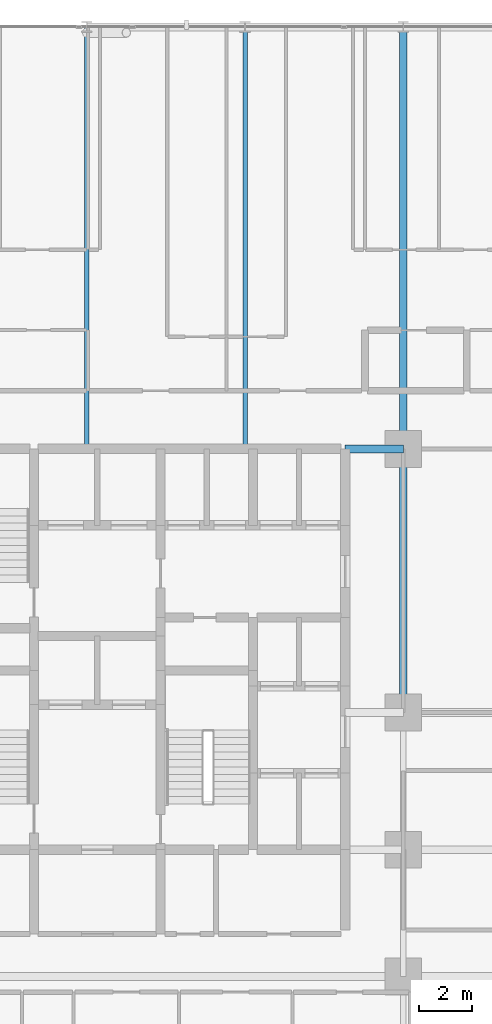
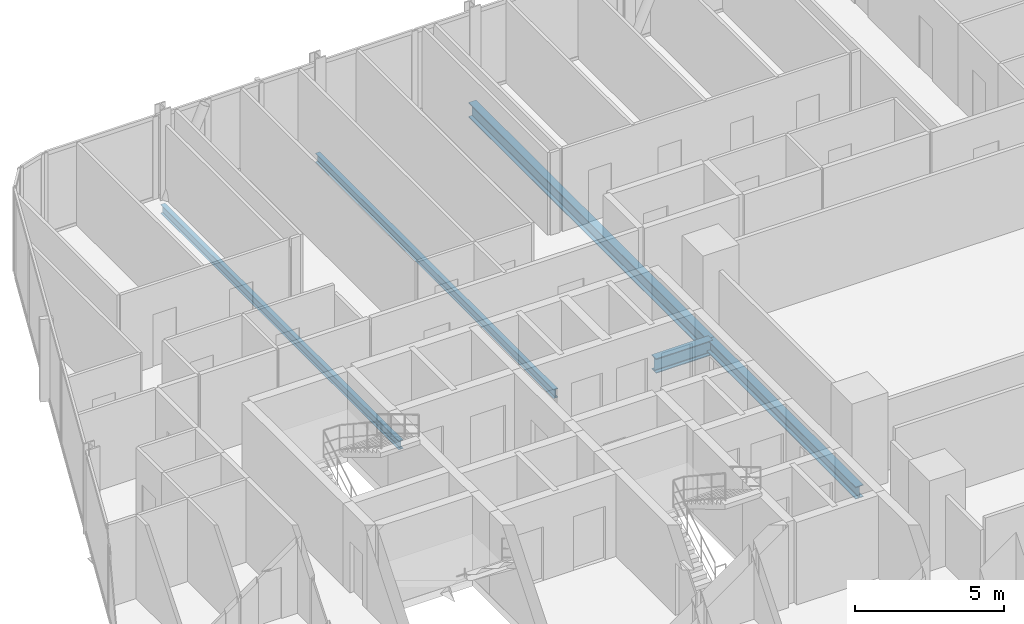
# One storey, part 12 of 34: 5 beams.
"""IFC4 building model written with IfcOpenShell, lengths in metres."""

from ifc_helpers import new_model, si_unit, direction, frame, origin, origin_2d, place, context, subcontext, project, spatial, i_section, extrude, material, material_profile, profile_set, type_object, element, save


model = new_model("IFC4")

# Units and contexts
model_context = context("Model", 3, precision=1e-05, world=origin(), true_north=direction((0.0, 1.0)))
body_context = subcontext(model_context, "Body", "Model", "MODEL_VIEW")
ifc_project = project(units=[si_unit("LENGTHUNIT", "METRE"), si_unit("AREAUNIT", "SQUARE_METRE"), si_unit("VOLUMEUNIT", "CUBIC_METRE"), si_unit("PLANEANGLEUNIT", "RADIAN"), si_unit("MASSUNIT", "GRAM", prefix="KILO")], contexts=[model_context])

# Site, building, storey
site_placement = place(None, origin())
site = spatial("IfcSite", under=ifc_project, at=site_placement, CompositionType="ELEMENT")
building_placement = place(site_placement, origin())
building = spatial("IfcBuilding", under=site, at=building_placement, Name="Keshet Zoharim Tower", CompositionType="ELEMENT")
storey_placement = place(building_placement, frame((0.0, 0.0, 46.199951171875)))
storey = spatial("IfcBuildingStorey", under=building, at=storey_placement, Name="L10", CompositionType="ELEMENT", Elevation=46.199951171875)

# Beams
ifc_material = material(Name="Steel S355", Category="steel")
ifc_material_profile_1 = material_profile(ifc_material, i_section(OverallWidth=0.300048828125, OverallDepth=0.60009765625, WebThickness=0.015380859375, FlangeThickness=0.030029296875, FilletRadius=0.027099609375, at=origin_2d()), Name="HEB600")
ifc_profile_set_1 = profile_set([ifc_material_profile_1], Name="Steel S355")
beam_type_1 = type_object("IfcBeamType", Name="BM-CLK-HB600", PredefinedType="BEAM", material=ifc_profile_set_1)
beam_1_placement = place(storey_placement, frame((30.800048828125, 37.89990234375, -0.614990234375), z_axis=(1.0, 0.0, 0.0), x_axis=(0.0, 1.0, 0.0)))
element("IfcBeam", 1, at=beam_1_placement, inside=storey, type_object=beam_type_1, Name="L10 Core Wall Link Girder 03", PredefinedType="BEAM", context=body_context, shape_type="SweptSolid", body=[
    extrude(i_section(OverallWidth=0.300048828125, OverallDepth=0.60009765625, WebThickness=0.015380859375, FlangeThickness=0.030029296875, FilletRadius=0.027099609375, at=origin_2d()), origin(), (0.0, 0.0, 1.0), 2.199951171875),
])
ifc_material_profile_2 = material_profile(ifc_material, i_section(OverallWidth=0.169921875, OverallDepth=0.360107421875, WebThickness=0.008056640625, FlangeThickness=0.0126953125, FilletRadius=0.01806640625, at=origin_2d()), Name="IPE360")
ifc_profile_set_2 = profile_set([ifc_material_profile_2], Name="Steel S355")
beam_type_2 = type_object("IfcBeamType", Name="BM-JST-IP360", PredefinedType="JOIST", material=ifc_profile_set_2)
for number, where, z_axis, x_axis, name in (
    (2, (21.0, 37.89990234375, -0.494873046875), (0.0, 1.0, 0.0), (-1.0, 0.0, 0.0), "L10 Secondary Floor Joist J-001"),
    (3, (27.0, 37.89990234375, -0.494873046875), (0.0, 1.0, 0.0), (-1.0, 0.0, 0.0), "L10 Secondary Floor Joist J-002"),
):
    element("IfcBeam", number, at=place(storey_placement, frame(where, z_axis=z_axis, x_axis=x_axis)), inside=storey, type_object=beam_type_2, Name=name, PredefinedType="JOIST", context=body_context, shape_type="SweptSolid", body=[
        extrude(i_section(OverallWidth=0.169921875, OverallDepth=0.360107421875, WebThickness=0.008056640625, FlangeThickness=0.0126953125, FilletRadius=0.01806640625, at=origin_2d()), origin(), (0.0, 0.0, 1.0), 16.0),
    ])
ifc_material_profile_3 = material_profile(ifc_material, i_section(OverallWidth=0.300048828125, OverallDepth=0.60009765625, WebThickness=0.015380859375, FlangeThickness=0.030029296875, FilletRadius=0.027099609375, at=origin_2d()), Name="HEB600")
ifc_profile_set_3 = profile_set([ifc_material_profile_3], Name="Steel S355")
beam_type_3 = type_object("IfcBeamType", Name="BM-LNG-HB600", PredefinedType="BEAM", material=ifc_profile_set_3)
beam_2_placement = place(storey_placement, frame((33.0, 37.89990234375, -0.614990234375), z_axis=(0.0, 1.0, 0.0), x_axis=(-1.0, 0.0, 0.0)))
element("IfcBeam", 4, at=beam_2_placement, inside=storey, type_object=beam_type_3, Name="L10 Primary Girder Y-011", PredefinedType="BEAM", context=body_context, shape_type="SweptSolid", body=[
    extrude(i_section(OverallWidth=0.300048828125, OverallDepth=0.60009765625, WebThickness=0.015380859375, FlangeThickness=0.030029296875, FilletRadius=0.027099609375, at=origin_2d()), origin(), (0.0, 0.0, 1.0), 16.0),
])
ifc_material_profile_4 = material_profile(ifc_material, i_section(OverallWidth=0.300048828125, OverallDepth=0.5, WebThickness=0.014404296875, FlangeThickness=0.028076171875, FilletRadius=0.027099609375, at=origin_2d()), Name="HEB500")
ifc_profile_set_4 = profile_set([ifc_material_profile_4], Name="Steel S355")
beam_type_4 = type_object("IfcBeamType", Name="BM-MED-HB500", PredefinedType="BEAM", material=ifc_profile_set_4)
beam_3_placement = place(storey_placement, frame((33.0, 27.89990234375, -0.56494140625), z_axis=(0.0, 1.0, 0.0), x_axis=(-1.0, 0.0, 0.0)))
element("IfcBeam", 5, at=beam_3_placement, inside=storey, type_object=beam_type_4, Name="L10 Primary Girder Y-010", PredefinedType="BEAM", context=body_context, shape_type="SweptSolid", body=[
    extrude(i_section(OverallWidth=0.300048828125, OverallDepth=0.5, WebThickness=0.014404296875, FlangeThickness=0.028076171875, FilletRadius=0.027099609375, at=origin_2d()), origin(), (0.0, 0.0, 1.0), 10.0),
])

save(model, "model.ifc")
